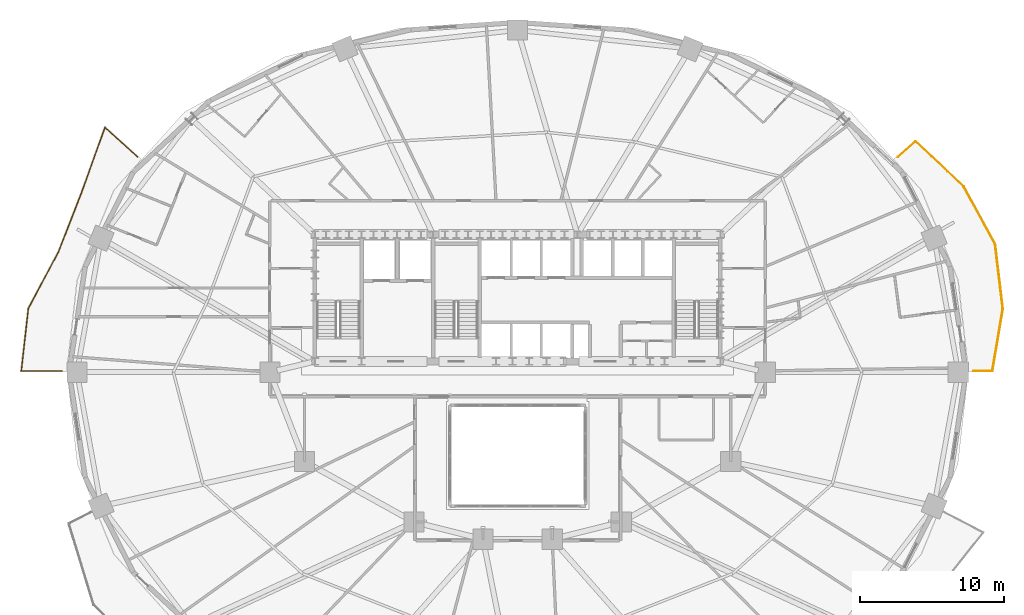
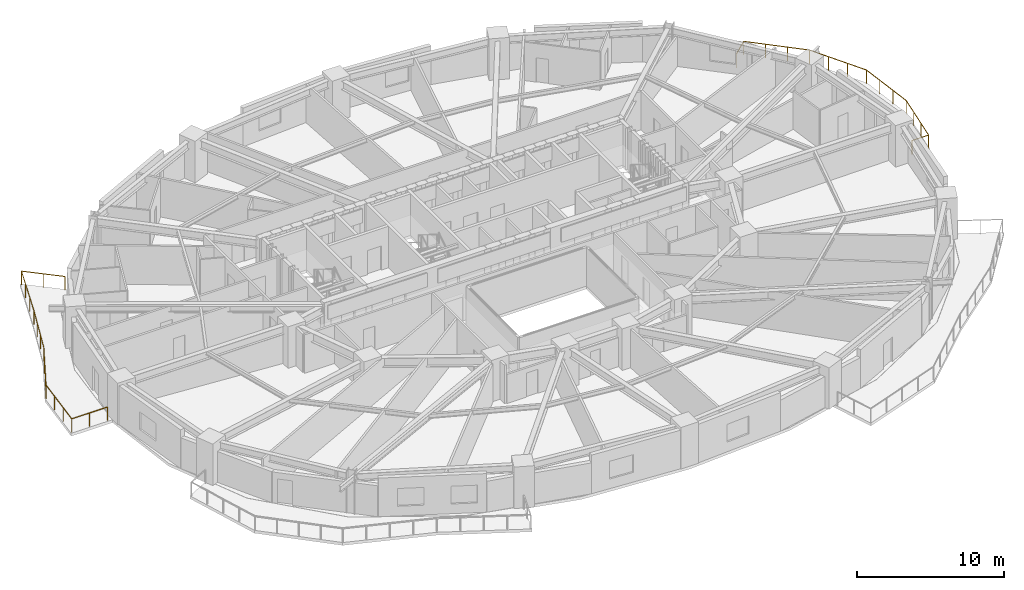
# One storey, part 17 of 17: 2 railings.
"""IFC4 building model written with IfcOpenShell, lengths in metres."""

from ifc_helpers import new_model, si_unit, direction, frame, origin, origin_2d, place, context, subcontext, project, spatial, rectangle, extrude, material, type_object, element, save


model = new_model("IFC4")

# Units and contexts
model_context = context("Model", 3, precision=1e-05, world=origin(), true_north=direction((0.0, 1.0)))
body_context = subcontext(model_context, "Body", "Model", "MODEL_VIEW")
ifc_project = project(units=[si_unit("LENGTHUNIT", "METRE"), si_unit("AREAUNIT", "SQUARE_METRE"), si_unit("VOLUMEUNIT", "CUBIC_METRE"), si_unit("PLANEANGLEUNIT", "RADIAN"), si_unit("MASSUNIT", "GRAM", prefix="KILO")], contexts=[model_context])

# Site, building, storey
site_placement = place(None, origin())
site = spatial("IfcSite", under=ifc_project, at=site_placement, CompositionType="ELEMENT")
building_placement = place(site_placement, origin())
building = spatial("IfcBuilding", under=site, at=building_placement, Name="Haldorwick Loom Tower", CompositionType="ELEMENT")
storey_placement = place(building_placement, frame((0.0, 0.0, 37.800048828125)))
storey = spatial("IfcBuildingStorey", under=building, at=storey_placement, Name="L09", CompositionType="ELEMENT", Elevation=37.800048828125)

# Railings
ifc_material = material(Name="Galvanized Steel CSA G40.21 350W", Category="steel")
railing_type = type_object("IfcRailingType", Name="ARC-RLG-BAL115", PredefinedType="BALUSTRADE", material=ifc_material)
railing_1_placement = place(storey_placement, frame((4.36083984375, 26.080078125, 0.0)))
element("IfcRailing", 1, at=railing_1_placement, inside=storey, type_object=railing_type, Name="L09 Outdoor Terrace Guardrail SLB-L09-BAL_WNW-1", PredefinedType="BALUSTRADE", context=body_context, shape_type="SweptSolid", body=[
    extrude(rectangle(XDim=0.048095703125, YDim=0.048095703125, at=origin_2d()), frame((0.0, 0.0, 1.1259765625), z_axis=(-1.0, 0.0, 0.0), x_axis=(0.0, -1.0, 0.0)), (0.0, 0.0, 1.0), 2.8173828125),
    extrude(rectangle(XDim=0.048095703125, YDim=0.048095703125, at=origin_2d()), frame((-2.8173828125, 0.0, 1.1259765625), z_axis=(0.112220668286, 0.993683310522, 0.0), x_axis=(-0.993683310522, 0.112220668286, 0.0)), (0.0, 0.0, 1.0), 4.372802734375),
    extrude(rectangle(XDim=0.048095703125, YDim=0.048095703125, at=origin_2d()), frame((-2.32666015625, 4.34521484375, 1.1259765625), z_axis=(0.470166455798, 0.882577760791, 0.0), x_axis=(-0.882577760791, 0.470166455798, 0.0)), (0.0, 0.0, 1.0), 4.447021484375),
    extrude(rectangle(XDim=0.048095703125, YDim=0.048095703125, at=origin_2d()), frame((-0.23583984375, 8.27001953125, 1.1259765625), z_axis=(0.415759760268, 0.909474475586, 0.0), x_axis=(-0.909474475586, 0.415759760268, 0.0)), (0.0, 0.0, 1.0), 0.00927734375),
    extrude(rectangle(XDim=0.048095703125, YDim=0.048095703125, at=origin_2d()), frame((-0.23193359375, 8.278564453125, 1.1259765625), z_axis=(0.36271610955, 0.93189968552, 0.0), x_axis=(-0.93189968552, 0.36271610955, 0.0)), (0.0, 0.0, 1.0), 4.409423828125),
    extrude(rectangle(XDim=0.048095703125, YDim=0.048095703125, at=origin_2d()), frame((1.367431640625, 12.3876953125, 1.1259765625), z_axis=(0.351123441588, 0.936329177569, 0.0), x_axis=(-0.936329177569, 0.351123441588, 0.0)), (0.0, 0.0, 1.0), 0.002197265625),
    extrude(rectangle(XDim=0.048095703125, YDim=0.048095703125, at=origin_2d()), frame((1.3681640625, 12.3896484375, 1.1259765625), z_axis=(0.337840495156, 0.941203378571, 0.0), x_axis=(-0.941203378571, 0.337840495156, 0.0)), (0.0, 0.0, 1.0), 4.800537109375),
    extrude(rectangle(XDim=0.048095703125, YDim=0.048095703125, at=origin_2d()), frame((2.989990234375, 16.907958984375, 1.1259765625), z_axis=(0.74176658268, -0.670658137071, 0.0), x_axis=(0.670658137071, 0.74176658268, 0.0)), (0.0, 0.0, 1.0), 3.03173828125),
    extrude(rectangle(XDim=0.0419921875, YDim=0.0419921875, at=origin_2d()), origin(), (0.0, 0.0, 1.0), 1.101806640625),
    extrude(rectangle(XDim=0.0419921875, YDim=0.0419921875, at=origin_2d()), frame((-1.40869140625, 0.0, 0.0)), (0.0, 0.0, 1.0), 1.101806640625),
    extrude(rectangle(XDim=0.0419921875, YDim=0.0419921875, at=origin_2d()), frame((-2.8173828125, 0.0, 0.0)), (0.0, 0.0, 1.0), 1.101806640625),
    extrude(rectangle(XDim=0.0419921875, YDim=0.0419921875, at=origin_2d()), frame((-2.65380859375, 1.448486328125, 0.0)), (0.0, 0.0, 1.0), 1.101806640625),
    extrude(rectangle(XDim=0.0419921875, YDim=0.0419921875, at=origin_2d()), frame((-2.490234375, 2.896728515625, 0.0)), (0.0, 0.0, 1.0), 1.101806640625),
    extrude(rectangle(XDim=0.0419921875, YDim=0.0419921875, at=origin_2d()), frame((-2.32666015625, 4.34521484375, 0.0)), (0.0, 0.0, 1.0), 1.101806640625),
    extrude(rectangle(XDim=0.0419921875, YDim=0.0419921875, at=origin_2d()), frame((-1.629638671875, 5.653564453125, 0.0)), (0.0, 0.0, 1.0), 1.101806640625),
    extrude(rectangle(XDim=0.0419921875, YDim=0.0419921875, at=origin_2d()), frame((-0.932861328125, 6.961669921875, 0.0)), (0.0, 0.0, 1.0), 1.101806640625),
    extrude(rectangle(XDim=0.0419921875, YDim=0.0419921875, at=origin_2d()), frame((-0.23583984375, 8.27001953125, 0.0)), (0.0, 0.0, 1.0), 1.101806640625),
    extrude(rectangle(XDim=0.0419921875, YDim=0.0419921875, at=origin_2d()), frame((0.30126953125, 9.648193359375, 0.0)), (0.0, 0.0, 1.0), 1.101806640625),
    extrude(rectangle(XDim=0.0419921875, YDim=0.0419921875, at=origin_2d()), frame((0.834228515625, 11.01806640625, 0.0)), (0.0, 0.0, 1.0), 1.101806640625),
    extrude(rectangle(XDim=0.0419921875, YDim=0.0419921875, at=origin_2d()), frame((1.367431640625, 12.3876953125, 0.0)), (0.0, 0.0, 1.0), 1.101806640625),
    extrude(rectangle(XDim=0.0419921875, YDim=0.0419921875, at=origin_2d()), frame((1.90869140625, 13.895751953125, 0.0)), (0.0, 0.0, 1.0), 1.101806640625),
    extrude(rectangle(XDim=0.0419921875, YDim=0.0419921875, at=origin_2d()), frame((2.449462890625, 15.40185546875, 0.0)), (0.0, 0.0, 1.0), 1.101806640625),
    extrude(rectangle(XDim=0.0419921875, YDim=0.0419921875, at=origin_2d()), frame((2.989990234375, 16.907958984375, 0.0)), (0.0, 0.0, 1.0), 1.101806640625),
    extrude(rectangle(XDim=0.0419921875, YDim=0.0419921875, at=origin_2d()), frame((4.1142578125, 15.891357421875, 0.0)), (0.0, 0.0, 1.0), 1.101806640625),
    extrude(rectangle(XDim=0.0419921875, YDim=0.0419921875, at=origin_2d()), frame((5.23876953125, 14.874755859375, 0.0)), (0.0, 0.0, 1.0), 1.101806640625),
])
railing_2_placement = place(storey_placement, frame((62.4033203125, 40.95166015625, 0.0)))
element("IfcRailing", 2, at=railing_2_placement, inside=storey, type_object=railing_type, Name="L09 Outdoor Terrace Guardrail SLB-L09-BAL_ENE-1", PredefinedType="BALUSTRADE", context=body_context, shape_type="SweptSolid", body=[
    extrude(rectangle(XDim=0.048095703125, YDim=0.048095703125, at=origin_2d()), frame((0.0, 0.0, 1.1259765625), z_axis=(0.748217378369, 0.663453656789, 0.0), x_axis=(-0.663453656789, 0.748217378369, 0.0)), (0.0, 0.0, 1.0), 1.61572265625),
    extrude(rectangle(XDim=0.048095703125, YDim=0.048095703125, at=origin_2d()), frame((1.208984375, 1.072021484375, 1.1259765625), z_axis=(0.731566348196, -0.681770253228, 0.0), x_axis=(0.681770253228, 0.731566348196, 0.0)), (0.0, 0.0, 1.0), 4.589111328125),
    extrude(rectangle(XDim=0.048095703125, YDim=0.048095703125, at=origin_2d()), frame((4.566162109375, -2.056640625, 1.1259765625), z_axis=(0.478746977459, -0.877952921046, 0.0), x_axis=(0.877952921046, 0.478746977459, 0.0)), (0.0, 0.0, 1.0), 4.554931640625),
    extrude(rectangle(XDim=0.048095703125, YDim=0.048095703125, at=origin_2d()), frame((6.746826171875, -6.0556640625, 1.1259765625), z_axis=(0.118178746417, -0.992992338286, 0.0), x_axis=(0.992992338286, 0.118178746417, 0.0)), (0.0, 0.0, 1.0), 4.532470703125),
    extrude(rectangle(XDim=0.048095703125, YDim=0.048095703125, at=origin_2d()), frame((7.282470703125, -10.556396484375, 1.1259765625), z_axis=(-0.167012646777, -0.985954753433, 0.0), x_axis=(0.985954753433, -0.167012646777, 0.0)), (0.0, 0.0, 1.0), 4.376708984375),
    extrude(rectangle(XDim=0.048095703125, YDim=0.048095703125, at=origin_2d()), frame((6.551513671875, -14.87158203125, 1.1259765625), z_axis=(-1.0, 0.0, 0.0), x_axis=(0.0, -1.0, 0.0)), (0.0, 0.0, 1.0), 1.315673828125),
    extrude(rectangle(XDim=0.0419921875, YDim=0.0419921875, at=origin_2d()), origin(), (0.0, 0.0, 1.0), 1.101806640625),
    extrude(rectangle(XDim=0.0419921875, YDim=0.0419921875, at=origin_2d()), frame((1.208984375, 1.072021484375, 0.0)), (0.0, 0.0, 1.0), 1.101806640625),
    extrude(rectangle(XDim=0.0419921875, YDim=0.0419921875, at=origin_2d()), frame((2.328125, 0.029052734375, 0.0)), (0.0, 0.0, 1.0), 1.101806640625),
    extrude(rectangle(XDim=0.0419921875, YDim=0.0419921875, at=origin_2d()), frame((3.447021484375, -1.013671875, 0.0)), (0.0, 0.0, 1.0), 1.101806640625),
    extrude(rectangle(XDim=0.0419921875, YDim=0.0419921875, at=origin_2d()), frame((4.566162109375, -2.056640625, 0.0)), (0.0, 0.0, 1.0), 1.101806640625),
    extrude(rectangle(XDim=0.0419921875, YDim=0.0419921875, at=origin_2d()), frame((5.29296875, -3.3896484375, 0.0)), (0.0, 0.0, 1.0), 1.101806640625),
    extrude(rectangle(XDim=0.0419921875, YDim=0.0419921875, at=origin_2d()), frame((6.02001953125, -4.72265625, 0.0)), (0.0, 0.0, 1.0), 1.101806640625),
    extrude(rectangle(XDim=0.0419921875, YDim=0.0419921875, at=origin_2d()), frame((6.746826171875, -6.0556640625, 0.0)), (0.0, 0.0, 1.0), 1.101806640625),
    extrude(rectangle(XDim=0.0419921875, YDim=0.0419921875, at=origin_2d()), frame((6.92529296875, -7.555908203125, 0.0)), (0.0, 0.0, 1.0), 1.101806640625),
    extrude(rectangle(XDim=0.0419921875, YDim=0.0419921875, at=origin_2d()), frame((7.10400390625, -9.05615234375, 0.0)), (0.0, 0.0, 1.0), 1.101806640625),
    extrude(rectangle(XDim=0.0419921875, YDim=0.0419921875, at=origin_2d()), frame((7.282470703125, -10.556396484375, 0.0)), (0.0, 0.0, 1.0), 1.101806640625),
    extrude(rectangle(XDim=0.0419921875, YDim=0.0419921875, at=origin_2d()), frame((7.038818359375, -11.994873046875, 0.0)), (0.0, 0.0, 1.0), 1.101806640625),
    extrude(rectangle(XDim=0.0419921875, YDim=0.0419921875, at=origin_2d()), frame((6.795166015625, -13.43310546875, 0.0)), (0.0, 0.0, 1.0), 1.101806640625),
    extrude(rectangle(XDim=0.0419921875, YDim=0.0419921875, at=origin_2d()), frame((6.551513671875, -14.87158203125, 0.0)), (0.0, 0.0, 1.0), 1.101806640625),
    extrude(rectangle(XDim=0.0419921875, YDim=0.0419921875, at=origin_2d()), frame((5.23583984375, -14.87158203125, 0.0)), (0.0, 0.0, 1.0), 1.101806640625),
])

save(model, "model.ifc")
